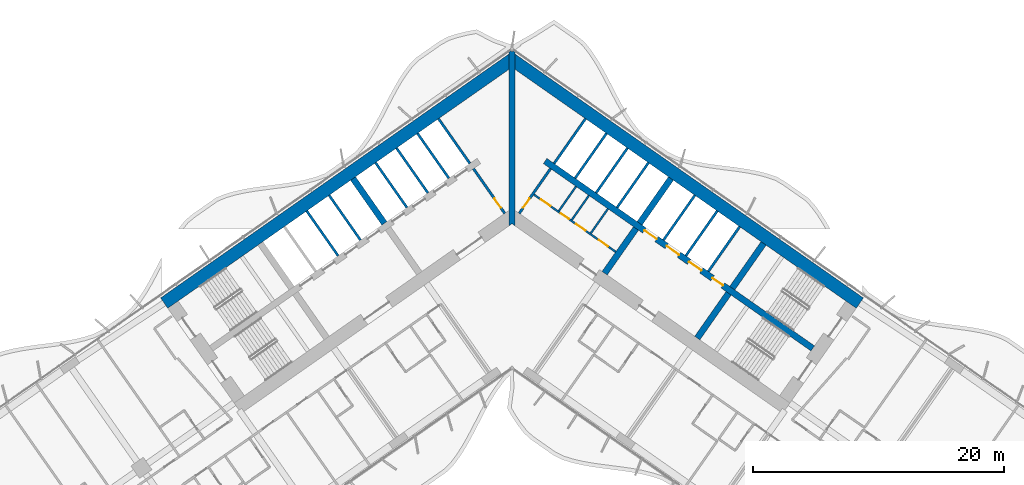
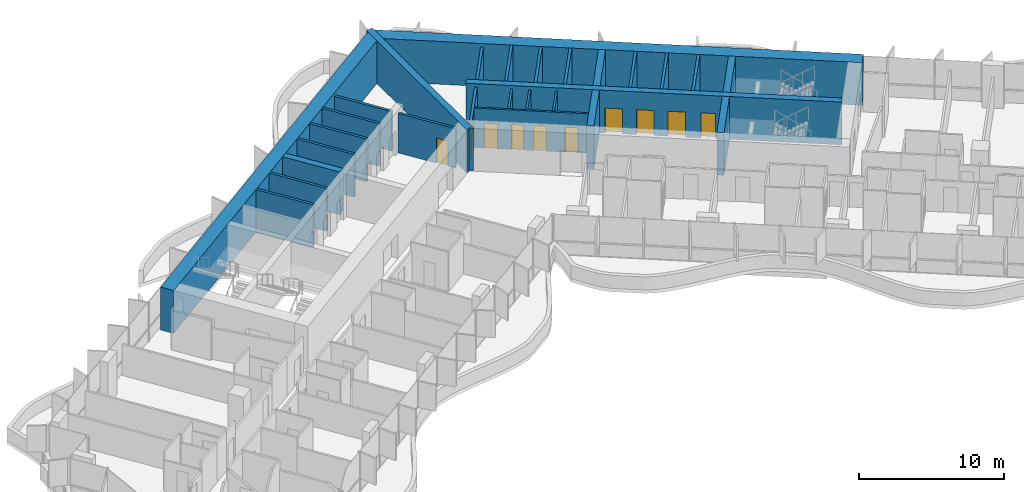
# One storey, part 16 of 25: 28 walls, 10 doors, 10 openings.
"""IFC4 building model written with IfcOpenShell, lengths in metres."""

from ifc_helpers import new_model, si_unit, direction, frame, frame_2d, origin, place, context, subcontext, project, spatial, polyline, rectangle, outline, extrude, material, layer, layer_set, type_object, element, fill, save


model = new_model("IFC4")

# Units and contexts
model_context = context("Model", 3, precision=1e-05, world=origin(), true_north=direction((0.0, 1.0)))
body_context = subcontext(model_context, "Body", "Model", "MODEL_VIEW")
ifc_project = project(units=[si_unit("LENGTHUNIT", "METRE"), si_unit("AREAUNIT", "SQUARE_METRE"), si_unit("VOLUMEUNIT", "CUBIC_METRE"), si_unit("PLANEANGLEUNIT", "RADIAN"), si_unit("MASSUNIT", "GRAM", prefix="KILO")], contexts=[model_context])

# Site, building, storey
site_placement = place(None, origin())
site = spatial("IfcSite", under=ifc_project, at=site_placement, CompositionType="ELEMENT")
building_placement = place(site_placement, origin())
building = spatial("IfcBuilding", under=site, at=building_placement, Name="Tel Ilan Convention Tower", CompositionType="ELEMENT")
storey_placement = place(building_placement, frame((0.0, 0.0, 58.10009765625)))
storey = spatial("IfcBuildingStorey", under=building, at=storey_placement, Name="L09", CompositionType="ELEMENT", Elevation=58.10009765625)

# Wall, openings, doors
ifc_material_1 = material(Name="Gypsum Plasterboard on Steel Stud", Category="steel")
ifc_layer_1 = layer(ifc_material_1, 0.14990234375)
ifc_layer_set_1 = layer_set([ifc_layer_1], Name="Core Room Partition Wall 150 mm EI 60")
wall_type_1 = type_object("IfcWallType", Name="Core Room Partition Wall 150 mm EI 60", PredefinedType="PARTITIONING", material=ifc_layer_set_1)
wall_1_placement = place(storey_placement, frame((1.7451171875, 1.097412109375, 0.0), z_axis=(0.0, 0.0, 1.0), x_axis=(0.819156890572, -0.573569515079, 0.0)))
wall_1 = element("IfcWall", 1, at=wall_1_placement, inside=storey, type_object=wall_type_1, Name="L09 core wall wc-h1", PredefinedType="PARTITIONING", context=body_context, shape_type="SweptSolid", body=[
    extrude(rectangle(XDim=7.949951171875, YDim=0.14990234375, at=frame_2d((3.97509765625, 0.0))), origin(), (0.0, 0.0, 1.0), 3.31982421875),
])
opening_1_placement = place(wall_1_placement, frame((0.699951171875, 0.0, 0.0)))
opening_1 = element("IfcOpeningElement", 2, at=opening_1_placement, cuts=wall_1, Name="Opening CD1110", PredefinedType="OPENING", context=body_context, shape_type="SweptSolid", body=[
    extrude(rectangle(XDim=0.89990234375, YDim=2.10009765625, at=frame_2d((0.449951171875, 1.050048828125))), frame((0.0, 0.0849609375, 0.0), z_axis=(0.0, -1.0, 0.0), x_axis=(1.0, 0.0, 0.0)), (0.0, 0.0, 1.0), 0.169921875),
])
opening_2_placement = place(wall_1_placement, frame((2.60009765625, 0.0, 0.0)))
opening_2 = element("IfcOpeningElement", 3, at=opening_2_placement, cuts=wall_1, Name="Opening CD1109", PredefinedType="OPENING", context=body_context, shape_type="SweptSolid", body=[
    extrude(rectangle(XDim=0.800048828125, YDim=2.10009765625, at=frame_2d((0.39990234375, 1.050048828125))), frame((0.0, 0.0849609375, 0.0), z_axis=(0.0, -1.0, 0.0), x_axis=(1.0, 0.0, 0.0)), (0.0, 0.0, 1.0), 0.169921875),
])
opening_3_placement = place(wall_1_placement, frame((4.10009765625, 0.0, 0.0)))
opening_3 = element("IfcOpeningElement", 4, at=opening_3_placement, cuts=wall_1, Name="Opening CD1108", PredefinedType="OPENING", context=body_context, shape_type="SweptSolid", body=[
    extrude(rectangle(XDim=0.89990234375, YDim=2.10009765625, at=frame_2d((0.449951171875, 1.050048828125))), frame((0.0, 0.0849609375, 0.0), z_axis=(0.0, -1.0, 0.0), x_axis=(1.0, 0.0, 0.0)), (0.0, 0.0, 1.0), 0.169921875),
])
opening_4_placement = place(wall_1_placement, frame((6.300048828125, 0.0, 0.0)))
opening_4 = element("IfcOpeningElement", 5, at=opening_4_placement, cuts=wall_1, Name="Opening CD1111", PredefinedType="OPENING", context=body_context, shape_type="SweptSolid", body=[
    extrude(rectangle(XDim=0.89990234375, YDim=2.10009765625, at=frame_2d((0.449951171875, 1.050048828125))), frame((0.0, 0.0849609375, 0.0), z_axis=(0.0, -1.0, 0.0), x_axis=(1.0, 0.0, 0.0)), (0.0, 0.0, 1.0), 0.169921875),
])
ifc_material_2 = material(Name="Galvanised Steel Door Leaf", Category="steel")
door_type_1 = type_object("IfcDoorType", Name="Store Door 800 x 2100 FD60", OperationType="NOTDEFINED", PredefinedType="DOOR", material=ifc_material_2)
door_1_placement = place(opening_2_placement, origin())
door_1 = element("IfcDoor", 6, at=door_1_placement, inside=storey, type_object=door_type_1, Name="Cleaner's store door", OperationType="SINGLE_SWING_RIGHT", OverallHeight=2.10009765625, OverallWidth=0.800048828125, PredefinedType="DOOR", context=body_context, shape_type="SweptSolid", body=[
    extrude(rectangle(XDim=0.800048828125, YDim=2.10009765625, at=frame_2d((0.39990234375, 1.050048828125))), frame((0.0, 0.02490234375, 0.0), z_axis=(0.0, -1.0, 0.0), x_axis=(1.0, 0.0, 0.0)), (0.0, 0.0, 1.0), 0.050048828125),
])
fill(opening_2, door_1)
ifc_material_3 = material(Name="Laminated Timber Door Leaf", Category="wood")
door_type_2 = type_object("IfcDoorType", Name="Toilet Door 900 x 2100 FD30S", OperationType="NOTDEFINED", PredefinedType="DOOR", material=ifc_material_3)
door_2_placement = place(opening_1_placement, origin())
door_2 = element("IfcDoor", 7, at=door_2_placement, inside=storey, type_object=door_type_2, Name="Men's WC door", OperationType="SINGLE_SWING_RIGHT", OverallHeight=2.10009765625, OverallWidth=0.89990234375, PredefinedType="DOOR", context=body_context, shape_type="SweptSolid", body=[
    extrude(rectangle(XDim=0.89990234375, YDim=2.10009765625, at=frame_2d((0.449951171875, 1.050048828125))), frame((0.0, 0.02490234375, 0.0), z_axis=(0.0, -1.0, 0.0), x_axis=(1.0, 0.0, 0.0)), (0.0, 0.0, 1.0), 0.050048828125),
])
fill(opening_1, door_2)
door_3_placement = place(opening_3_placement, origin())
door_3 = element("IfcDoor", 8, at=door_3_placement, inside=storey, type_object=door_type_2, Name="Accessible WC door", OperationType="SINGLE_SWING_RIGHT", OverallHeight=2.10009765625, OverallWidth=0.89990234375, PredefinedType="DOOR", context=body_context, shape_type="SweptSolid", body=[
    extrude(rectangle(XDim=0.89990234375, YDim=2.10009765625, at=frame_2d((0.449951171875, 1.050048828125))), frame((0.0, 0.02490234375, 0.0), z_axis=(0.0, -1.0, 0.0), x_axis=(1.0, 0.0, 0.0)), (0.0, 0.0, 1.0), 0.050048828125),
])
fill(opening_3, door_3)
door_4_placement = place(opening_4_placement, origin())
door_4 = element("IfcDoor", 9, at=door_4_placement, inside=storey, type_object=door_type_2, Name="Women's WC door", OperationType="SINGLE_SWING_RIGHT", OverallHeight=2.10009765625, OverallWidth=0.89990234375, PredefinedType="DOOR", context=body_context, shape_type="SweptSolid", body=[
    extrude(rectangle(XDim=0.89990234375, YDim=2.10009765625, at=frame_2d((0.449951171875, 1.050048828125))), frame((0.0, 0.02490234375, 0.0), z_axis=(0.0, -1.0, 0.0), x_axis=(1.0, 0.0, 0.0)), (0.0, 0.0, 1.0), 0.050048828125),
])
fill(opening_4, door_4)

# Walls
for number, where, z_axis, x_axis, name in (
    (10, (3.733642578125, -0.203369140625, 0.0), (0.0, 0.0, 1.0), (0.573579618003, 0.819149816463, 0.0), "L09 core wall wc-v0"),
    (11, (4.757568359375, -0.92041015625, 0.0), (0.0, 0.0, 1.0), (0.573579618003, 0.819149816463, 0.0), "L09 core wall wc-v1"),
    (12, (6.27294921875, -1.9814453125, 0.0), (0.0, 0.0, 1.0), (0.573579618003, 0.819149816463, 0.0), "L09 core wall wc-v2"),
):
    element("IfcWall", number, at=place(storey_placement, frame(where, z_axis=z_axis, x_axis=x_axis)), inside=storey, type_object=wall_type_1, Name=name, PredefinedType="PARTITIONING", context=body_context, shape_type="SweptSolid", body=[
        extrude(rectangle(XDim=2.375, YDim=0.14990234375, at=frame_2d((1.1875, 0.0))), origin(), (0.0, 0.0, 1.0), 3.31982421875),
    ])

# Wall, opening, door
ifc_material_4 = material(Name="Concrete C30/37", Category="concrete")
ifc_layer_2 = layer(ifc_material_4, 0.199951171875)
ifc_layer_set_2 = layer_set([ifc_layer_2], Name="Core Service Room Wall 200 mm C30/37")
wall_type_2 = type_object("IfcWallType", Name="Core Service Room Wall 200 mm C30/37", PredefinedType="SOLIDWALL", material=ifc_layer_set_2)
wall_2_placement = place(storey_placement, frame((-0.573486328125, -0.401611328125, 0.0), z_axis=(0.0, 0.0, 1.0), x_axis=(-0.57356780395, 0.819158088694, 0.0)))
wall_2 = element("IfcWall", 13, at=wall_2_placement, inside=storey, type_object=wall_type_2, Name="L09 core wall apex-W", PredefinedType="SOLIDWALL", context=body_context, shape_type="SweptSolid", body=[
    extrude(rectangle(XDim=4.35009765625, YDim=0.199951171875, at=frame_2d((2.175048828125, 0.0))), origin(), (0.0, 0.0, 1.0), 3.31982421875),
])
opening_5_placement = place(wall_2_placement, frame((0.550048828125, 0.0, 0.0)))
opening_5 = element("IfcOpeningElement", 14, at=opening_5_placement, cuts=wall_2, Name="Opening CD1102", PredefinedType="OPENING", context=body_context, shape_type="SweptSolid", body=[
    extrude(rectangle(XDim=0.89990234375, YDim=2.10009765625, at=frame_2d((0.449951171875, 1.050048828125))), frame((0.0, 0.10986328125, 0.0), z_axis=(0.0, -1.0, 0.0), x_axis=(1.0, 0.0, 0.0)), (0.0, 0.0, 1.0), 0.219970703125),
])
ifc_material_5 = material(Name="Galvanised Steel Door Leaf", Category="steel")
door_type_3 = type_object("IfcDoorType", Name="Service Room Door 900 x 2100 FD60", OperationType="NOTDEFINED", PredefinedType="DOOR", material=ifc_material_5)
door_5_placement = place(opening_5_placement, origin())
door_5 = element("IfcDoor", 15, at=door_5_placement, inside=storey, type_object=door_type_3, Name="Riser Room door", OperationType="SINGLE_SWING_RIGHT", OverallHeight=2.10009765625, OverallWidth=0.89990234375, PredefinedType="DOOR", context=body_context, shape_type="SweptSolid", body=[
    extrude(rectangle(XDim=0.89990234375, YDim=2.10009765625, at=frame_2d((0.449951171875, 1.050048828125))), frame((0.0, 0.02490234375, 0.0), z_axis=(0.0, -1.0, 0.0), x_axis=(1.0, 0.0, 0.0)), (0.0, 0.0, 1.0), 0.050048828125),
])
fill(opening_5, door_5)

# Wall
wall_3_placement = place(storey_placement, frame((-3.355224609375, 3.5712890625, 0.0), z_axis=(0.0, 0.0, 1.0), x_axis=(-0.57356780395, 0.819158088694, 0.0)))
element("IfcWall", 16, at=wall_3_placement, inside=storey, type_object=wall_type_2, Name="L09 core wall apex-W-b", PredefinedType="SOLIDWALL", context=body_context, shape_type="SweptSolid", body=[
    extrude(rectangle(XDim=4.35009765625, YDim=0.199951171875, at=frame_2d((2.175048828125, 0.0))), origin(), (0.0, 0.0, 1.0), 3.31982421875),
])

# Wall, opening, door
wall_4_placement = place(storey_placement, frame((0.573486328125, -0.401611328125, 0.0), z_axis=(0.0, 0.0, 1.0), x_axis=(0.57356780395, 0.819158088694, 0.0)))
wall_4 = element("IfcWall", 17, at=wall_4_placement, inside=storey, type_object=wall_type_2, Name="L09 core wall apex-E", PredefinedType="SOLIDWALL", context=body_context, shape_type="SweptSolid", body=[
    extrude(rectangle(XDim=4.35009765625, YDim=0.199951171875, at=frame_2d((2.175048828125, 0.0))), origin(), (0.0, 0.0, 1.0), 3.31982421875),
])
opening_6_placement = place(wall_4_placement, frame((0.550048828125, 0.0, 0.0)))
opening_6 = element("IfcOpeningElement", 18, at=opening_6_placement, cuts=wall_4, Name="Opening CD1101", PredefinedType="OPENING", context=body_context, shape_type="SweptSolid", body=[
    extrude(rectangle(XDim=0.89990234375, YDim=2.10009765625, at=frame_2d((0.449951171875, 1.050048828125))), frame((0.0, 0.10986328125, 0.0), z_axis=(0.0, -1.0, 0.0), x_axis=(1.0, 0.0, 0.0)), (0.0, 0.0, 1.0), 0.219970703125),
])
door_6_placement = place(opening_6_placement, origin())
door_6 = element("IfcDoor", 19, at=door_6_placement, inside=storey, type_object=door_type_3, Name="Electrical Room door", OperationType="SINGLE_SWING_RIGHT", OverallHeight=2.10009765625, OverallWidth=0.89990234375, PredefinedType="DOOR", context=body_context, shape_type="SweptSolid", body=[
    extrude(rectangle(XDim=0.89990234375, YDim=2.10009765625, at=frame_2d((0.449951171875, 1.050048828125))), frame((0.0, 0.02490234375, 0.0), z_axis=(0.0, -1.0, 0.0), x_axis=(1.0, 0.0, 0.0)), (0.0, 0.0, 1.0), 0.050048828125),
])
fill(opening_6, door_6)

# Walls
wall_5_placement = place(storey_placement, frame((3.355224609375, 3.5712890625, 0.0), z_axis=(0.0, 0.0, 1.0), x_axis=(0.57356780395, 0.819158088694, 0.0)))
element("IfcWall", 20, at=wall_5_placement, inside=storey, type_object=wall_type_2, Name="L09 core wall apex-E-b", PredefinedType="SOLIDWALL", context=body_context, shape_type="SweptSolid", body=[
    extrude(rectangle(XDim=4.35009765625, YDim=0.199951171875, at=frame_2d((2.175048828125, 0.0))), origin(), (0.0, 0.0, 1.0), 3.31982421875),
])
ifc_material_6 = material(Name="Concrete C60/75", Category="concrete")
ifc_layer_3 = layer(ifc_material_6, 1.0)
ifc_layer_set_3 = layer_set([ifc_layer_3], Name="Core Shear Wall 1000 mm C60/75")
wall_type_3 = type_object("IfcWallType", Name="Core Shear Wall 1000 mm C60/75", PredefinedType="SHEAR", material=ifc_layer_set_3)
wall_6_placement = place(storey_placement, frame((0.036865234375, 11.8671875, 0.0), z_axis=(0.0, 0.0, 1.0), x_axis=(-0.819155306259, -0.573571777746, 0.0)))
element("IfcWall", 21, at=wall_6_placement, inside=storey, type_object=wall_type_3, Name="L09 core wall W-back", PredefinedType="SHEAR", context=body_context, shape_type="SweptSolid", body=[
    extrude(outline(polyline([(33.8369140625, 0.5), (0.7001953125, 0.499755859375), (0.0, -0.5), (33.8369140625, -0.5), (33.8369140625, 0.5)])), origin(), (0.0, 0.0, 1.0), 3.599853515625),
])
wall_7_placement = place(storey_placement, frame((-0.036865234375, 11.8671875, 0.0), z_axis=(0.0, 0.0, 1.0), x_axis=(0.819155306259, -0.573571777746, 0.0)))
element("IfcWall", 22, at=wall_7_placement, inside=storey, type_object=wall_type_3, Name="L09 core wall E-back", PredefinedType="SHEAR", context=body_context, shape_type="SweptSolid", body=[
    extrude(outline(polyline([(33.8369140625, 0.5), (0.0, 0.5), (0.7001953125, -0.499755859375), (33.8369140625, -0.5), (33.8369140625, 0.5)])), origin(), (0.0, 0.0, 1.0), 3.599853515625),
])
ifc_material_7 = material(Name="Concrete C60/75", Category="concrete")
ifc_layer_4 = layer(ifc_material_7, 0.5)
ifc_layer_set_4 = layer_set([ifc_layer_4], Name="Core Shear Wall 500 mm C60/75")
wall_type_4 = type_object("IfcWallType", Name="Core Shear Wall 500 mm C60/75", PredefinedType="SHEAR", material=ifc_layer_set_4)
wall_8_placement = place(storey_placement, frame((-10.154296875, -1.189208984375, 0.0), z_axis=(0.0, 0.0, 1.0), x_axis=(-0.573594173421, 0.819139624372, 0.0)))
element("IfcWall", 23, at=wall_8_placement, inside=storey, type_object=wall_type_4, Name="L09 core wall W-cross1-2", PredefinedType="SHEAR", context=body_context, shape_type="SweptSolid", body=[
    extrude(outline(polyline([(4.349853515625, -0.25), (4.349853515625, 0.25), (-0.000244140625, 0.25), (-0.000244140625, -0.25), (4.349853515625, -0.25)])), origin(), (0.0, 0.0, 1.0), 3.599853515625),
])
wall_9_placement = place(storey_placement, frame((7.372314453125, -5.162109375, 0.0), z_axis=(0.0, 0.0, 1.0), x_axis=(0.573594173421, 0.819139624372, 0.0)))
element("IfcWall", 24, at=wall_9_placement, inside=storey, type_object=wall_type_4, Name="L09 core wall E-cross1-1", PredefinedType="SHEAR", context=body_context, shape_type="SweptSolid", body=[
    extrude(outline(polyline([(0.0, 0.25), (0.0, -0.250244140625), (4.349853515625, -0.25), (4.349853515625, 0.25), (0.0, 0.25)])), origin(), (0.0, 0.0, 1.0), 3.599853515625),
])
wall_10_placement = place(storey_placement, frame((10.154296875, -1.189208984375, 0.0), z_axis=(0.0, 0.0, 1.0), x_axis=(0.573594173421, 0.819139624372, 0.0)))
element("IfcWall", 25, at=wall_10_placement, inside=storey, type_object=wall_type_4, Name="L09 core wall E-cross1-2", PredefinedType="SHEAR", context=body_context, shape_type="SweptSolid", body=[
    extrude(outline(polyline([(4.349853515625, -0.25), (4.349853515625, 0.25), (-0.000244140625, 0.25), (-0.000244140625, -0.25), (4.349853515625, -0.25)])), origin(), (0.0, 0.0, 1.0), 3.599853515625),
])
wall_11_placement = place(storey_placement, frame((14.74462890625, -10.324462890625, 0.0), z_axis=(0.0, 0.0, 1.0), x_axis=(0.57356780395, 0.819158088694, 0.0)))
element("IfcWall", 26, at=wall_11_placement, inside=storey, type_object=wall_type_4, Name="L09 core wall E-cross2-1", PredefinedType="SHEAR", context=body_context, shape_type="SweptSolid", body=[
    extrude(outline(polyline([(0.0, 0.25), (0.0, -0.25), (4.35009765625, -0.250244140625), (4.35009765625, 0.25), (0.0, 0.25)])), origin(), (0.0, 0.0, 1.0), 3.599853515625),
])
wall_12_placement = place(storey_placement, frame((17.526611328125, -6.3515625, 0.0), z_axis=(0.0, 0.0, 1.0), x_axis=(0.573530143085, 0.819184457233, 0.0)))
element("IfcWall", 27, at=wall_12_placement, inside=storey, type_object=wall_type_4, Name="L09 core wall E-cross2-2", PredefinedType="SHEAR", context=body_context, shape_type="SweptSolid", body=[
    extrude(outline(polyline([(4.35009765625, -0.250244140625), (4.35009765625, 0.249755859375), (0.0, 0.25), (0.0, -0.25), (4.35009765625, -0.250244140625)])), origin(), (0.0, 0.0, 1.0), 3.599853515625),
])

# Wall, openings, doors
wall_13_placement = place(storey_placement, frame((2.638427734375, 3.76806640625, 0.0), z_axis=(0.0, 0.0, 1.0), x_axis=(0.819148977158, -0.573580816643, 0.0)))
wall_13 = element("IfcWall", 28, at=wall_13_placement, inside=storey, type_object=wall_type_4, Name="L09 core wall E-spine", PredefinedType="SHEAR", context=body_context, shape_type="SweptSolid", body=[
    extrude(outline(polyline([(0.0, 0.25), (0.0, -0.25), (26.0, -0.249755859375), (26.0, 0.250244140625), (0.0, 0.25)])), origin(), (0.0, 0.0, 1.0), 3.599853515625),
])
opening_7_placement = place(wall_13_placement, frame((9.637451171875, 0.0, 0.0)))
opening_7 = element("IfcOpeningElement", 29, at=opening_7_placement, cuts=wall_13, Name="Opening LD1101", PredefinedType="OPENING", context=body_context, shape_type="SweptSolid", body=[
    extrude(rectangle(XDim=1.199951171875, YDim=2.10009765625, at=frame_2d((0.60009765625, 1.050048828125))), frame((0.0, 0.260009765625, 0.0), z_axis=(0.0, -1.0, 0.0), x_axis=(1.0, 0.0, 0.0)), (0.0, 0.0, 1.0), 0.52001953125),
])
opening_8_placement = place(wall_13_placement, frame((11.8125, 0.0, 0.0)))
opening_8 = element("IfcOpeningElement", 30, at=opening_8_placement, cuts=wall_13, Name="Opening LD1102", PredefinedType="OPENING", context=body_context, shape_type="SweptSolid", body=[
    extrude(rectangle(XDim=1.199951171875, YDim=2.10009765625, at=frame_2d((0.60009765625, 1.050048828125))), frame((0.0, 0.260009765625, 0.0), z_axis=(0.0, -1.0, 0.0), x_axis=(1.0, 0.0, 0.0)), (0.0, 0.0, 1.0), 0.52001953125),
])
opening_9_placement = place(wall_13_placement, frame((13.987548828125, 0.0, 0.0)))
opening_9 = element("IfcOpeningElement", 31, at=opening_9_placement, cuts=wall_13, Name="Opening LD1103", PredefinedType="OPENING", context=body_context, shape_type="SweptSolid", body=[
    extrude(rectangle(XDim=1.199951171875, YDim=2.10009765625, at=frame_2d((0.60009765625, 1.050048828125))), frame((0.0, 0.260009765625, 0.0), z_axis=(0.0, -1.0, 0.0), x_axis=(1.0, 0.0, 0.0)), (0.0, 0.0, 1.0), 0.52001953125),
])
opening_10_placement = place(wall_13_placement, frame((16.262451171875, 0.0, 0.0)))
opening_10 = element("IfcOpeningElement", 32, at=opening_10_placement, cuts=wall_13, Name="Opening CD1107", PredefinedType="OPENING", context=body_context, shape_type="SweptSolid", body=[
    extrude(rectangle(XDim=1.0, YDim=2.10009765625, at=frame_2d((0.5, 1.050048828125))), frame((0.0, 0.260009765625, 0.0), z_axis=(0.0, -1.0, 0.0), x_axis=(1.0, 0.0, 0.0)), (0.0, 0.0, 1.0), 0.52001953125),
])
ifc_material_8 = material(Name="Stainless Steel Sliding Door Leaf", Category="steel")
door_type_4 = type_object("IfcDoorType", Name="Lift Landing Door 1200 x 2100 FD120", OperationType="NOTDEFINED", PredefinedType="DOOR", material=ifc_material_8)
door_7_placement = place(opening_7_placement, origin())
door_7 = element("IfcDoor", 33, at=door_7_placement, inside=storey, type_object=door_type_4, Name="Lift FL1 landing door", OperationType="SLIDING_TO_LEFT", OverallHeight=2.10009765625, OverallWidth=1.199951171875, PredefinedType="DOOR", context=body_context, shape_type="SweptSolid", body=[
    extrude(rectangle(XDim=1.199951171875, YDim=2.10009765625, at=frame_2d((0.60009765625, 1.050048828125))), frame((0.0, 0.02490234375, 0.0), z_axis=(0.0, -1.0, 0.0), x_axis=(1.0, 0.0, 0.0)), (0.0, 0.0, 1.0), 0.050048828125),
])
fill(opening_7, door_7)
door_8_placement = place(opening_8_placement, origin())
door_8 = element("IfcDoor", 34, at=door_8_placement, inside=storey, type_object=door_type_4, Name="Lift FL2 landing door", OperationType="SLIDING_TO_RIGHT", OverallHeight=2.10009765625, OverallWidth=1.199951171875, PredefinedType="DOOR", context=body_context, shape_type="SweptSolid", body=[
    extrude(rectangle(XDim=1.199951171875, YDim=2.10009765625, at=frame_2d((0.60009765625, 1.050048828125))), frame((0.0, 0.02490234375, 0.0), z_axis=(0.0, -1.0, 0.0), x_axis=(1.0, 0.0, 0.0)), (0.0, 0.0, 1.0), 0.050048828125),
])
fill(opening_8, door_8)
door_9_placement = place(opening_9_placement, origin())
door_9 = element("IfcDoor", 35, at=door_9_placement, inside=storey, type_object=door_type_4, Name="Lift FL3 landing door", OperationType="SLIDING_TO_LEFT", OverallHeight=2.10009765625, OverallWidth=1.199951171875, PredefinedType="DOOR", context=body_context, shape_type="SweptSolid", body=[
    extrude(rectangle(XDim=1.199951171875, YDim=2.10009765625, at=frame_2d((0.60009765625, 1.050048828125))), frame((0.0, 0.02490234375, 0.0), z_axis=(0.0, -1.0, 0.0), x_axis=(1.0, 0.0, 0.0)), (0.0, 0.0, 1.0), 0.050048828125),
])
fill(opening_9, door_9)
ifc_material_9 = material(Name="Galvanised Steel Door Leaf", Category="steel")
door_type_5 = type_object("IfcDoorType", Name="Service Room Door 1000 x 2100 FD60", OperationType="NOTDEFINED", PredefinedType="DOOR", material=ifc_material_9)
door_10_placement = place(opening_10_placement, origin())
door_10 = element("IfcDoor", 36, at=door_10_placement, inside=storey, type_object=door_type_5, Name="Plant Room door", OperationType="SINGLE_SWING_RIGHT", OverallHeight=2.10009765625, OverallWidth=1.0, PredefinedType="DOOR", context=body_context, shape_type="SweptSolid", body=[
    extrude(rectangle(XDim=1.0, YDim=2.10009765625, at=frame_2d((0.5, 1.050048828125))), frame((0.0, 0.02490234375, 0.0), z_axis=(0.0, -1.0, 0.0), x_axis=(1.0, 0.0, 0.0)), (0.0, 0.0, 1.0), 0.050048828125),
])
fill(opening_10, door_10)

# Walls
wall_14_placement = place(storey_placement, frame((0.0, -1.395751953125, 0.0), z_axis=(0.0, 0.0, 1.0), x_axis=(0.0, 1.0, 0.0)))
element("IfcWall", 37, at=wall_14_placement, inside=storey, type_object=wall_type_4, Name="L09 core wall K-central", PredefinedType="SHEAR", context=body_context, shape_type="SweptSolid", body=[
    extrude(outline(polyline([(0.0, -0.25), (0.175048828125, -0.25), (1.220703125, -0.25), (12.451904296875, -0.25), (13.84765625, -0.25), (13.85693359375, -0.25), (13.96826171875, -0.172119140625), (13.84765625, 0.0), (13.96826171875, 0.172119140625), (13.85693359375, 0.25), (13.84765625, 0.25), (12.451904296875, 0.25), (1.220703125, 0.25), (0.175048828125, 0.25), (0.0, 0.25), (0.175048828125, 0.0), (0.0, -0.25)])), origin(), (0.0, 0.0, 1.0), 3.599853515625),
])
ifc_material_10 = material(Name="Concrete C30/37", Category="concrete")
ifc_layer_5 = layer(ifc_material_10, 0.199951171875)
ifc_layer_set_5 = layer_set([ifc_layer_5], Name="Lift Shaft Wall 200 mm C30/37")
wall_type_5 = type_object("IfcWallType", Name="Lift Shaft Wall 200 mm C30/37", PredefinedType="SOLIDWALL", material=ifc_layer_set_5)
wall_15_placement = place(storey_placement, frame((-5.0244140625, 2.402587890625, 0.0), z_axis=(0.0, 0.0, 1.0), x_axis=(-0.573530143085, 0.819184457233, 0.0)))
element("IfcWall", 38, at=wall_15_placement, inside=storey, type_object=wall_type_5, Name="L09 core wall bank-W1-p0", PredefinedType="SOLIDWALL", context=body_context, shape_type="SweptSolid", body=[
    extrude(rectangle(XDim=4.35009765625, YDim=0.199951171875, at=frame_2d((2.175048828125, 0.0))), origin(), (0.0, 0.0, 1.0), 3.599853515625),
])
for number, where, z_axis, x_axis, name in (
    (39, (-6.693359375, 1.234130859375, 0.0), (0.0, 0.0, 1.0), (-0.573594173421, 0.819139624372, 0.0), "L09 core wall bank-W1-p1"),
    (40, (-8.3623046875, 0.0654296875, 0.0), (0.0, 0.0, 1.0), (-0.573594173421, 0.819139624372, 0.0), "L09 core wall bank-W1-p2"),
    (41, (-12.05859375, -2.52294921875, 0.0), (0.0, 0.0, 1.0), (-0.573594173421, 0.819139624372, 0.0), "L09 core wall bank-W2-p0"),
):
    element("IfcWall", number, at=place(storey_placement, frame(where, z_axis=z_axis, x_axis=x_axis)), inside=storey, type_object=wall_type_5, Name=name, PredefinedType="SOLIDWALL", context=body_context, shape_type="SweptSolid", body=[
        extrude(rectangle(XDim=4.349853515625, YDim=0.199951171875, at=frame_2d((2.1748046875, 0.0))), origin(), (0.0, 0.0, 1.0), 3.599853515625),
    ])
for number, where, z_axis, x_axis, name in (
    (42, (-13.84033203125, -3.7705078125, 0.0), (0.0, 0.0, 1.0), (-0.57356780395, 0.819158088694, 0.0), "L09 core wall bank-W2-p1"),
    (43, (5.0244140625, 2.402587890625, 0.0), (0.0, 0.0, 1.0), (0.573530143085, 0.819184457233, 0.0), "L09 core wall bank-E1-p0"),
):
    element("IfcWall", number, at=place(storey_placement, frame(where, z_axis=z_axis, x_axis=x_axis)), inside=storey, type_object=wall_type_5, Name=name, PredefinedType="SOLIDWALL", context=body_context, shape_type="SweptSolid", body=[
        extrude(rectangle(XDim=4.35009765625, YDim=0.199951171875, at=frame_2d((2.175048828125, 0.0))), origin(), (0.0, 0.0, 1.0), 3.599853515625),
    ])
for number, where, z_axis, x_axis, name in (
    (44, (6.693359375, 1.234130859375, 0.0), (0.0, 0.0, 1.0), (0.573594173421, 0.819139624372, 0.0), "L09 core wall bank-E1-p1"),
    (45, (8.3623046875, 0.0654296875, 0.0), (0.0, 0.0, 1.0), (0.573594173421, 0.819139624372, 0.0), "L09 core wall bank-E1-p2"),
    (46, (12.05859375, -2.52294921875, 0.0), (0.0, 0.0, 1.0), (0.573594173421, 0.819139624372, 0.0), "L09 core wall bank-E2-p0"),
):
    element("IfcWall", number, at=place(storey_placement, frame(where, z_axis=z_axis, x_axis=x_axis)), inside=storey, type_object=wall_type_5, Name=name, PredefinedType="SOLIDWALL", context=body_context, shape_type="SweptSolid", body=[
        extrude(rectangle(XDim=4.349853515625, YDim=0.199951171875, at=frame_2d((2.1748046875, 0.0))), origin(), (0.0, 0.0, 1.0), 3.599853515625),
    ])
wall_16_placement = place(storey_placement, frame((13.84033203125, -3.7705078125, 0.0), z_axis=(0.0, 0.0, 1.0), x_axis=(0.57356780395, 0.819158088694, 0.0)))
element("IfcWall", 47, at=wall_16_placement, inside=storey, type_object=wall_type_5, Name="L09 core wall bank-E2-p1", PredefinedType="SOLIDWALL", context=body_context, shape_type="SweptSolid", body=[
    extrude(rectangle(XDim=4.35009765625, YDim=0.199951171875, at=frame_2d((2.175048828125, 0.0))), origin(), (0.0, 0.0, 1.0), 3.599853515625),
])
wall_17_placement = place(storey_placement, frame((15.6220703125, -5.017822265625, 0.0), z_axis=(0.0, 0.0, 1.0), x_axis=(0.573594173421, 0.819139624372, 0.0)))
element("IfcWall", 48, at=wall_17_placement, inside=storey, type_object=wall_type_5, Name="L09 core wall bank-E2-p2", PredefinedType="SOLIDWALL", context=body_context, shape_type="SweptSolid", body=[
    extrude(rectangle(XDim=4.349853515625, YDim=0.199951171875, at=frame_2d((2.1748046875, 0.0))), origin(), (0.0, 0.0, 1.0), 3.599853515625),
])

save(model, "model.ifc")
